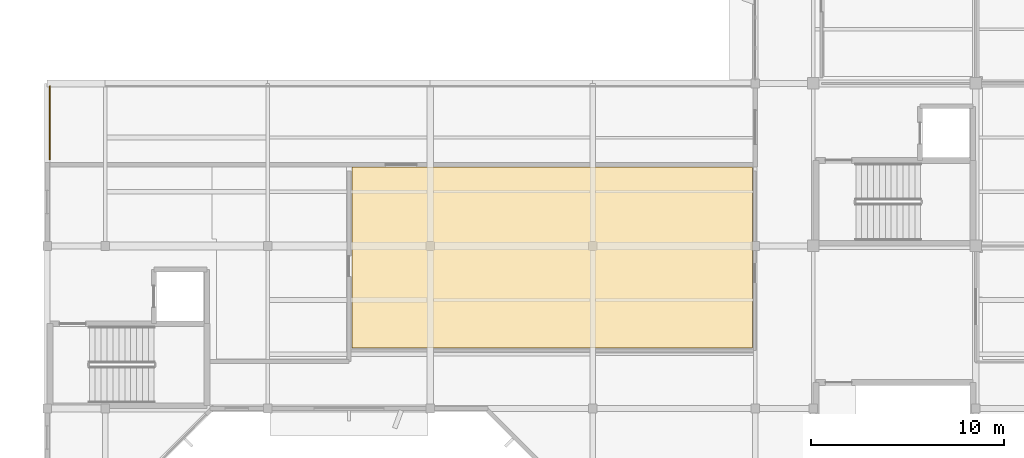
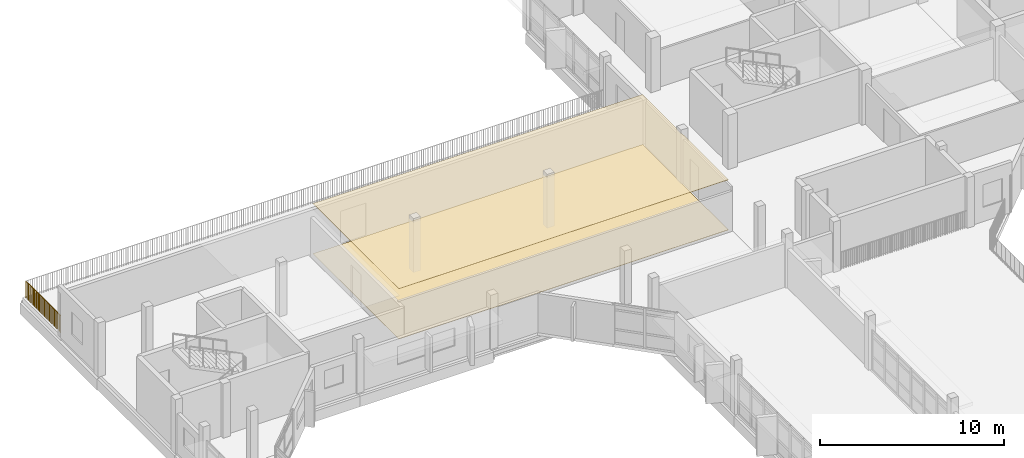
# One storey, part 35 of 42: 2 coverings, 1 railing.
"""IFC4 building model written with IfcOpenShell, lengths in metres."""

import ifcopenshell
import ifcopenshell.guid

model = None  # the IFC model being written
_history = None  # IfcOwnerHistory: only IFC2X3 demands one
_inside = {}  # id of a spatial element -> (the spatial element, [elements in it])
_under = {}  # id of a project, library or spatial element -> (it, [spatial elements below it])
_declared = {}  # id of a project -> (the project, [libraries it declares])
_typed = {}  # id of a type object -> (the type object, [elements of that type])
_made_of = {}  # id of a material, layer set ... -> (it, [elements and type objects made of it])


def new_model(schema):
    """Start an empty IFC model of exactly this schema.

    Asked for "IFC4X3", IfcOpenShell would pick the latest addendum, in which some entities
    have other attributes; the version numbers below select the first issue.
    IFC2X3 requires an IfcOwnerHistory on every rooted entity: one is made here for all.
    """
    global model, _history
    if schema == "IFC4X3":
        model = ifcopenshell.file(schema_version=(4, 3, 0, 0))
    else:
        model = ifcopenshell.file(schema=schema)
    _inside.clear()
    _under.clear()
    _declared.clear()
    _typed.clear()
    _made_of.clear()
    _history = None
    if model.schema == "IFC2X3":
        org = make("IfcOrganization", Name="unknown")
        user = make(
            "IfcPersonAndOrganization",
            ThePerson=make("IfcPerson", FamilyName="unknown"),
            TheOrganization=org,
        )
        app = make(
            "IfcApplication",
            ApplicationDeveloper=org,
            Version="unknown",
            ApplicationFullName="unknown",
            ApplicationIdentifier="unknown",
        )
        _history = make(
            "IfcOwnerHistory",
            OwningUser=user,
            OwningApplication=app,
            ChangeAction="ADDED",
            CreationDate=0,
        )
    return model


def make(cls, **values):
    """One entity of the class cls with the attributes given. An attribute that is None is left unset."""
    return model.create_entity(
        cls, **{name: value for name, value in values.items() if value is not None}
    )


def rooted(cls, **values):
    """An entity with a GlobalId (a new one), such as an element, a storey or a relation."""
    return make(cls, GlobalId=ifcopenshell.guid.new(), OwnerHistory=_history, **values)


def si_unit(unit_type, name, prefix=None):
    """IfcSIUnit, for example si_unit("LENGTHUNIT", "METRE", prefix="MILLI")."""
    return make("IfcSIUnit", UnitType=unit_type, Prefix=prefix, Name=name)


def assignment(units):
    """IfcUnitAssignment: the units of a project."""
    return None if units is None else make("IfcUnitAssignment", Units=units)


def point(xyz):
    """IfcCartesianPoint."""
    return None if xyz is None else make("IfcCartesianPoint", Coordinates=xyz)


def direction(xyz):
    """IfcDirection."""
    return None if xyz is None else make("IfcDirection", DirectionRatios=xyz)


def frame(location, z_axis=None, x_axis=None):
    """IfcAxis2Placement3D, a coordinate frame: its origin and axes. An axis left out is left unset."""
    return make(
        "IfcAxis2Placement3D",
        Location=point(location),
        Axis=direction(z_axis),
        RefDirection=direction(x_axis),
    )


def frame_2d(location, x_axis=None):
    """IfcAxis2Placement2D, a coordinate frame in the plane: its origin and x axis."""
    return make(
        "IfcAxis2Placement2D", Location=point(location), RefDirection=direction(x_axis)
    )


def origin():
    """The frame at (0, 0, 0) with its axes left unset."""
    return frame((0.0, 0.0, 0.0))


def origin_2d():
    """The frame at (0, 0) in the plane with its x axis left unset."""
    return frame_2d((0.0, 0.0))


def place(relative_to, where):
    """IfcLocalPlacement: puts the frame where relative to a parent placement (None: the world)."""
    return make(
        "IfcLocalPlacement", PlacementRelTo=relative_to, RelativePlacement=where
    )


def context(
    kind, dimensions, precision=None, world=None, true_north=None, identifier=None
):
    """IfcGeometricRepresentationContext, for example the 3D "Model" context."""
    return make(
        "IfcGeometricRepresentationContext",
        ContextIdentifier=identifier,
        ContextType=kind,
        CoordinateSpaceDimension=dimensions,
        Precision=precision,
        WorldCoordinateSystem=world,
        TrueNorth=true_north,
    )


def subcontext(parent, identifier, kind, view, scale=None):
    """IfcGeometricRepresentationSubContext, for example "Body" below "Model"."""
    return make(
        "IfcGeometricRepresentationSubContext",
        ContextIdentifier=identifier,
        ContextType=kind,
        ParentContext=parent,
        TargetScale=scale,
        TargetView=view,
    )


def project(units=None, contexts=None):
    """IfcProject with its units and contexts."""
    return rooted(
        "IfcProject",
        Name="project",
        RepresentationContexts=contexts,
        UnitsInContext=assignment(units),
    )


def spatial(cls, under=None, at=None, **own):
    """A site, building, storey or space (cls), placed at a placement, below another one or the project."""
    s = rooted(cls, ObjectPlacement=at, **own)
    if under is not None:
        _under.setdefault(under.id(), (under, []))[1].append(s)
    return s


def polyline(points):
    """IfcPolyline through the points."""
    return make("IfcPolyline", Points=[point(p) for p in points])


def profile(cls, at=None, kind="AREA", **sizes):
    """A parametric profile (cls). Its sizes go by their IFC names, for example OverallWidth=200.0."""
    return make(cls, ProfileType=kind, Position=at, **sizes)


def circle(**sizes):
    """IfcCircleProfileDef."""
    return profile("IfcCircleProfileDef", **sizes)


def outline(outer, holes=None, kind="AREA"):
    """IfcArbitraryClosedProfileDef: a profile drawn as a closed curve; with holes, ...WithVoids."""
    if holes is None:
        return make("IfcArbitraryClosedProfileDef", ProfileType=kind, OuterCurve=outer)
    return make(
        "IfcArbitraryProfileDefWithVoids",
        ProfileType=kind,
        OuterCurve=outer,
        InnerCurves=holes,
    )


def extrude(swept, where, along, depth):
    """IfcExtrudedAreaSolid: the profile swept, set in the frame where, extruded along a direction by depth."""
    return make(
        "IfcExtrudedAreaSolid",
        SweptArea=swept,
        Position=where,
        ExtrudedDirection=direction(along),
        Depth=depth,
    )


def shape(context_of_items, identifier, shape_type, items):
    """IfcShapeRepresentation: the items that make up one representation, for example the "Body"."""
    return make(
        "IfcShapeRepresentation",
        ContextOfItems=context_of_items,
        RepresentationIdentifier=identifier,
        RepresentationType=shape_type,
        Items=items,
    )


def material(Name=None, Category=None):
    """IfcMaterial."""
    return make("IfcMaterial", Name=Name, Category=Category)


def layer(
    of_material, thickness, ventilated=None, Name=None, Category=None, Priority=None
):
    """IfcMaterialLayer: one layer of a wall or slab, of a material (None: an air gap)."""
    return make(
        "IfcMaterialLayer",
        Material=of_material,
        LayerThickness=thickness,
        IsVentilated=ventilated,
        Name=Name,
        Category=Category,
        Priority=Priority,
    )


def layer_set(layers, Name=None):
    """IfcMaterialLayerSet."""
    return make("IfcMaterialLayerSet", MaterialLayers=layers, LayerSetName=Name)


def made_of(thing, what):
    """Note that an element or type object is made of a material, layer set ...; save() writes the relation."""
    if what is not None:
        _made_of.setdefault(what.id(), (what, []))[1].append(thing)
    return thing


def type_object(cls, material=None, **own):
    """A type object (cls), such as IfcWallType, which elements share."""
    return made_of(rooted(cls, **own), material)


def element(
    cls,
    number,
    at=None,
    inside=None,
    cuts=None,
    type_object=None,
    material=None,
    context=None,
    identifier="Body",
    shape_type=None,
    held_by="IfcProductDefinitionShape",
    body=None,
    shapes=None,
    **own,
):
    """One element of the class cls, such as IfcWall. Its Tag is "e" and its number.

    at: its placement. inside: the storey or other place that contains it. cuts: it is an
    opening in that element (IfcRelVoidsElement). A single representation is given by context,
    identifier, shape_type and body (its items); several are given by shapes. held_by: the class
    of the entity that holds the representations. save() writes the other relations.
    """
    e = rooted(cls, Tag="e%d" % number, ObjectPlacement=at, **own)
    if body is not None:
        shapes = [shape(context, identifier, shape_type, body)]
    if shapes is not None:
        e.Representation = make(held_by, Representations=shapes)
    if inside is not None:
        _inside.setdefault(inside.id(), (inside, []))[1].append(e)
    if cuts is not None:
        rooted(
            "IfcRelVoidsElement", RelatingBuildingElement=cuts, RelatedOpeningElement=e
        )
    if type_object is not None:
        _typed.setdefault(type_object.id(), (type_object, []))[1].append(e)
    return made_of(e, material)


def aggregate(whole, parts):
    """IfcRelAggregates: a whole, such as a stair, and the parts it consists of."""
    return rooted("IfcRelAggregates", RelatingObject=whole, RelatedObjects=parts)


def save(model, path):
    """Write the relations noted so far, then the file.

    IfcRelAggregates (storeys below a building ...), IfcRelContainedInSpatialStructure (elements
    in a storey), IfcRelDefinesByType, IfcRelAssociatesMaterial and IfcRelDeclares: one each for
    every whole, place, type object, material and project.
    """
    for whole, parts in _under.values():
        aggregate(whole, parts)
    for where, things in _inside.values():
        rooted(
            "IfcRelContainedInSpatialStructure",
            RelatedElements=things,
            RelatingStructure=where,
        )
    for kind, things in _typed.values():
        rooted("IfcRelDefinesByType", RelatedObjects=things, RelatingType=kind)
    for what, things in _made_of.values():
        rooted("IfcRelAssociatesMaterial", RelatedObjects=things, RelatingMaterial=what)
    for by, libraries in _declared.values():
        rooted("IfcRelDeclares", RelatingContext=by, RelatedDefinitions=libraries)
    model.write(path)


model = new_model("IFC4")

# Units and contexts
model_context = context("Model", 3, precision=1e-05, world=origin(), true_north=direction((0.0, 1.0)))
body_context = subcontext(model_context, "Body", "Model", "MODEL_VIEW")
ifc_project = project(units=[si_unit("LENGTHUNIT", "METRE"), si_unit("AREAUNIT", "SQUARE_METRE"), si_unit("VOLUMEUNIT", "CUBIC_METRE"), si_unit("PLANEANGLEUNIT", "RADIAN"), si_unit("MASSUNIT", "GRAM", prefix="KILO")], contexts=[model_context])

# Site, building, storey
site_placement = place(None, origin())
site = spatial("IfcSite", under=ifc_project, at=site_placement, CompositionType="ELEMENT")
building_placement = place(site_placement, origin())
building = spatial("IfcBuilding", under=site, at=building_placement, Name="Vanh Quang Courtyard School", CompositionType="ELEMENT")
storey_placement = place(building_placement, frame((0.0, 0.0, 15.0)))
storey = spatial("IfcBuildingStorey", under=building, at=storey_placement, Name="L04", CompositionType="ELEMENT", Elevation=15.0)

# Coverings
ifc_material_1 = material(Name="Perforated mineral-fibre acoustic ceiling board")
ifc_layer_1 = layer(ifc_material_1, 0.02490234375)
ifc_layer_set_1 = layer_set([ifc_layer_1], Name="Perforated mineral-fibre acoustic ceiling board")
covering_type_1 = type_object("IfcCoveringType", Name="COV-CEIL-ACOUSTIC", PredefinedType="CEILING", material=ifc_layer_set_1)
covering_1_placement = place(storey_placement, frame((0.0, 0.0, 3.324951171875)))
element("IfcCovering", 1, at=covering_1_placement, inside=storey, type_object=covering_type_1, Name="Covering CV-CL1 (L04)", PredefinedType="CEILING", context=body_context, shape_type="SweptSolid", body=[
    extrude(outline(polyline([(53.550048828125, 83.860107421875), (53.550048828125, 83.861083984375), (53.55029296875, 83.862060546875), (53.55029296875, 83.86279296875), (53.55078125, 83.86376953125), (53.55126953125, 83.86474609375), (53.5517578125, 83.865478515625), (53.55224609375, 83.8662109375), (53.552978515625, 83.8671875), (53.5537109375, 83.86767578125), (53.554443359375, 83.868408203125), (53.555419921875, 83.868896484375), (53.55615234375, 83.869140625), (53.55712890625, 83.86962890625), (53.55810546875, 83.869873046875), (53.55908203125, 83.8701171875), (53.56005859375, 83.8701171875), (74.239990234375, 83.8701171875), (74.240966796875, 83.8701171875), (74.241943359375, 83.869873046875), (74.242919921875, 83.86962890625), (74.243896484375, 83.869140625), (74.24462890625, 83.868896484375), (74.24560546875, 83.868408203125), (74.246337890625, 83.86767578125), (74.2470703125, 83.8671875), (74.247802734375, 83.8662109375), (74.248291015625, 83.865478515625), (74.248779296875, 83.86474609375), (74.249267578125, 83.86376953125), (74.24951171875, 83.86279296875), (74.249755859375, 83.862060546875), (74.25, 83.861083984375), (74.25, 83.860107421875), (74.25, 74.5400390625), (74.25, 74.5390625), (74.249755859375, 74.5380859375), (74.24951171875, 74.537109375), (74.249267578125, 74.5361328125), (74.248779296875, 74.535400390625), (74.248291015625, 74.534423828125), (74.247802734375, 74.53369140625), (74.2470703125, 74.532958984375), (74.246337890625, 74.5322265625), (74.24560546875, 74.53173828125), (74.24462890625, 74.53125), (74.243896484375, 74.53076171875), (74.242919921875, 74.530517578125), (74.241943359375, 74.5302734375), (74.240966796875, 74.530029296875), (74.239990234375, 74.530029296875), (53.56005859375, 74.530029296875), (53.55908203125, 74.530029296875), (53.55810546875, 74.5302734375), (53.55712890625, 74.530517578125), (53.55615234375, 74.53076171875), (53.555419921875, 74.53125), (53.554443359375, 74.53173828125), (53.5537109375, 74.5322265625), (53.552978515625, 74.532958984375), (53.55224609375, 74.53369140625), (53.5517578125, 74.534423828125), (53.55126953125, 74.535400390625), (53.55078125, 74.5361328125), (53.55029296875, 74.537109375), (53.55029296875, 74.5380859375), (53.550048828125, 74.5390625), (53.550048828125, 74.5400390625), (53.550048828125, 83.860107421875)])), origin(), (0.0, 0.0, 1.0), 0.025146484375),
])
ifc_material_2 = material(Name="Polished cementitious terrazzo tile", Category="concrete")
ifc_layer_2 = layer(ifc_material_2, 0.02001953125)
ifc_layer_set_2 = layer_set([ifc_layer_2], Name="Polished cementitious terrazzo tile")
covering_type_2 = type_object("IfcCoveringType", Name="COV-FLR-TERRAZZO", PredefinedType="FLOORING", material=ifc_layer_set_2)
covering_2_placement = place(storey_placement, origin())
element("IfcCovering", 2, at=covering_2_placement, inside=storey, type_object=covering_type_2, Name="Covering CV-FL1 (L04)", PredefinedType="FLOORING", context=body_context, shape_type="SweptSolid", body=[
    extrude(outline(polyline([(53.550048828125, 83.860107421875), (53.550048828125, 83.861083984375), (53.55029296875, 83.862060546875), (53.55029296875, 83.86279296875), (53.55078125, 83.86376953125), (53.55126953125, 83.86474609375), (53.5517578125, 83.865478515625), (53.55224609375, 83.8662109375), (53.552978515625, 83.8671875), (53.5537109375, 83.86767578125), (53.554443359375, 83.868408203125), (53.555419921875, 83.868896484375), (53.55615234375, 83.869140625), (53.55712890625, 83.86962890625), (53.55810546875, 83.869873046875), (53.55908203125, 83.8701171875), (53.56005859375, 83.8701171875), (74.239990234375, 83.8701171875), (74.240966796875, 83.8701171875), (74.241943359375, 83.869873046875), (74.242919921875, 83.86962890625), (74.243896484375, 83.869140625), (74.24462890625, 83.868896484375), (74.24560546875, 83.868408203125), (74.246337890625, 83.86767578125), (74.2470703125, 83.8671875), (74.247802734375, 83.8662109375), (74.248291015625, 83.865478515625), (74.248779296875, 83.86474609375), (74.249267578125, 83.86376953125), (74.24951171875, 83.86279296875), (74.249755859375, 83.862060546875), (74.25, 83.861083984375), (74.25, 83.860107421875), (74.25, 74.5400390625), (74.25, 74.5390625), (74.249755859375, 74.5380859375), (74.24951171875, 74.537109375), (74.249267578125, 74.5361328125), (74.248779296875, 74.535400390625), (74.248291015625, 74.534423828125), (74.247802734375, 74.53369140625), (74.2470703125, 74.532958984375), (74.246337890625, 74.5322265625), (74.24560546875, 74.53173828125), (74.24462890625, 74.53125), (74.243896484375, 74.53076171875), (74.242919921875, 74.530517578125), (74.241943359375, 74.5302734375), (74.240966796875, 74.530029296875), (74.239990234375, 74.530029296875), (53.56005859375, 74.530029296875), (53.55908203125, 74.530029296875), (53.55810546875, 74.5302734375), (53.55712890625, 74.530517578125), (53.55615234375, 74.53076171875), (53.555419921875, 74.53125), (53.554443359375, 74.53173828125), (53.5537109375, 74.5322265625), (53.552978515625, 74.532958984375), (53.55224609375, 74.53369140625), (53.5517578125, 74.534423828125), (53.55126953125, 74.535400390625), (53.55078125, 74.5361328125), (53.55029296875, 74.537109375), (53.55029296875, 74.5380859375), (53.550048828125, 74.5390625), (53.550048828125, 74.5400390625), (53.550048828125, 83.860107421875)])), origin(), (0.0, 0.0, 1.0), 0.02001953125),
])

# Railing
ifc_material_3 = material(Name="Galvanised painted steel EN 10025-2 S355J2", Category="steel")
railing_type = type_object("IfcRailingType", Name="RAIL-GUARD-1150", PredefinedType="BALUSTRADE", material=ifc_material_3)
railing_placement = place(storey_placement, frame((37.93994140625, 84.2626953125, 0.0)))
element("IfcRailing", 3, at=railing_placement, inside=storey, type_object=railing_type, Name="Railing GR-01 (L04)", PredefinedType="BALUSTRADE", context=body_context, shape_type="SweptSolid", body=[
    extrude(circle(Radius=0.02392578125, at=origin_2d()), frame((0.0, 0.0, 1.1259765625), z_axis=(0.0, 1.0, 0.0), x_axis=(-1.0, 0.0, 0.0)), (0.0, 0.0, 1.0), 3.79736328125),
    extrude(circle(Radius=0.02099609375, at=origin_2d()), origin(), (0.0, 0.0, 1.0), 1.101806640625),
    extrude(circle(Radius=0.02099609375, at=origin_2d()), frame((0.0, 0.1357421875, 0.0)), (0.0, 0.0, 1.0), 1.101806640625),
    extrude(circle(Radius=0.02099609375, at=origin_2d()), frame((0.0, 0.271240234375, 0.0)), (0.0, 0.0, 1.0), 1.101806640625),
    extrude(circle(Radius=0.02099609375, at=origin_2d()), frame((0.0, 0.40673828125, 0.0)), (0.0, 0.0, 1.0), 1.101806640625),
    extrude(circle(Radius=0.02099609375, at=origin_2d()), frame((0.0, 0.54248046875, 0.0)), (0.0, 0.0, 1.0), 1.101806640625),
    extrude(circle(Radius=0.02099609375, at=origin_2d()), frame((0.0, 0.67822265625, 0.0)), (0.0, 0.0, 1.0), 1.101806640625),
    extrude(circle(Radius=0.02099609375, at=origin_2d()), frame((0.0, 0.813720703125, 0.0)), (0.0, 0.0, 1.0), 1.101806640625),
    extrude(circle(Radius=0.02099609375, at=origin_2d()), frame((0.0, 0.94921875, 0.0)), (0.0, 0.0, 1.0), 1.101806640625),
    extrude(circle(Radius=0.02099609375, at=origin_2d()), frame((0.0, 1.0849609375, 0.0)), (0.0, 0.0, 1.0), 1.101806640625),
    extrude(circle(Radius=0.02099609375, at=origin_2d()), frame((0.0, 1.220703125, 0.0)), (0.0, 0.0, 1.0), 1.101806640625),
    extrude(circle(Radius=0.02099609375, at=origin_2d()), frame((0.0, 1.356201171875, 0.0)), (0.0, 0.0, 1.0), 1.101806640625),
    extrude(circle(Radius=0.02099609375, at=origin_2d()), frame((0.0, 1.49169921875, 0.0)), (0.0, 0.0, 1.0), 1.101806640625),
    extrude(circle(Radius=0.02099609375, at=origin_2d()), frame((0.0, 1.62744140625, 0.0)), (0.0, 0.0, 1.0), 1.101806640625),
    extrude(circle(Radius=0.02099609375, at=origin_2d()), frame((0.0, 1.76318359375, 0.0)), (0.0, 0.0, 1.0), 1.101806640625),
    extrude(circle(Radius=0.02099609375, at=origin_2d()), frame((0.0, 1.898681640625, 0.0)), (0.0, 0.0, 1.0), 1.101806640625),
    extrude(circle(Radius=0.02099609375, at=origin_2d()), frame((0.0, 2.0341796875, 0.0)), (0.0, 0.0, 1.0), 1.101806640625),
    extrude(circle(Radius=0.02099609375, at=origin_2d()), frame((0.0, 2.169921875, 0.0)), (0.0, 0.0, 1.0), 1.101806640625),
    extrude(circle(Radius=0.02099609375, at=origin_2d()), frame((0.0, 2.3056640625, 0.0)), (0.0, 0.0, 1.0), 1.101806640625),
    extrude(circle(Radius=0.02099609375, at=origin_2d()), frame((0.0, 2.441162109375, 0.0)), (0.0, 0.0, 1.0), 1.101806640625),
    extrude(circle(Radius=0.02099609375, at=origin_2d()), frame((0.0, 2.57666015625, 0.0)), (0.0, 0.0, 1.0), 1.101806640625),
    extrude(circle(Radius=0.02099609375, at=origin_2d()), frame((0.0, 2.71240234375, 0.0)), (0.0, 0.0, 1.0), 1.101806640625),
    extrude(circle(Radius=0.02099609375, at=origin_2d()), frame((0.0, 2.84814453125, 0.0)), (0.0, 0.0, 1.0), 1.101806640625),
    extrude(circle(Radius=0.02099609375, at=origin_2d()), frame((0.0, 2.983642578125, 0.0)), (0.0, 0.0, 1.0), 1.101806640625),
    extrude(circle(Radius=0.02099609375, at=origin_2d()), frame((0.0, 3.119140625, 0.0)), (0.0, 0.0, 1.0), 1.101806640625),
    extrude(circle(Radius=0.02099609375, at=origin_2d()), frame((0.0, 3.2548828125, 0.0)), (0.0, 0.0, 1.0), 1.101806640625),
    extrude(circle(Radius=0.02099609375, at=origin_2d()), frame((0.0, 3.390625, 0.0)), (0.0, 0.0, 1.0), 1.101806640625),
    extrude(circle(Radius=0.02099609375, at=origin_2d()), frame((0.0, 3.526123046875, 0.0)), (0.0, 0.0, 1.0), 1.101806640625),
    extrude(circle(Radius=0.02099609375, at=origin_2d()), frame((0.0, 3.66162109375, 0.0)), (0.0, 0.0, 1.0), 1.101806640625),
    extrude(circle(Radius=0.02099609375, at=origin_2d()), frame((0.0, 3.79736328125, 0.0)), (0.0, 0.0, 1.0), 1.101806640625),
])

save(model, "model.ifc")
